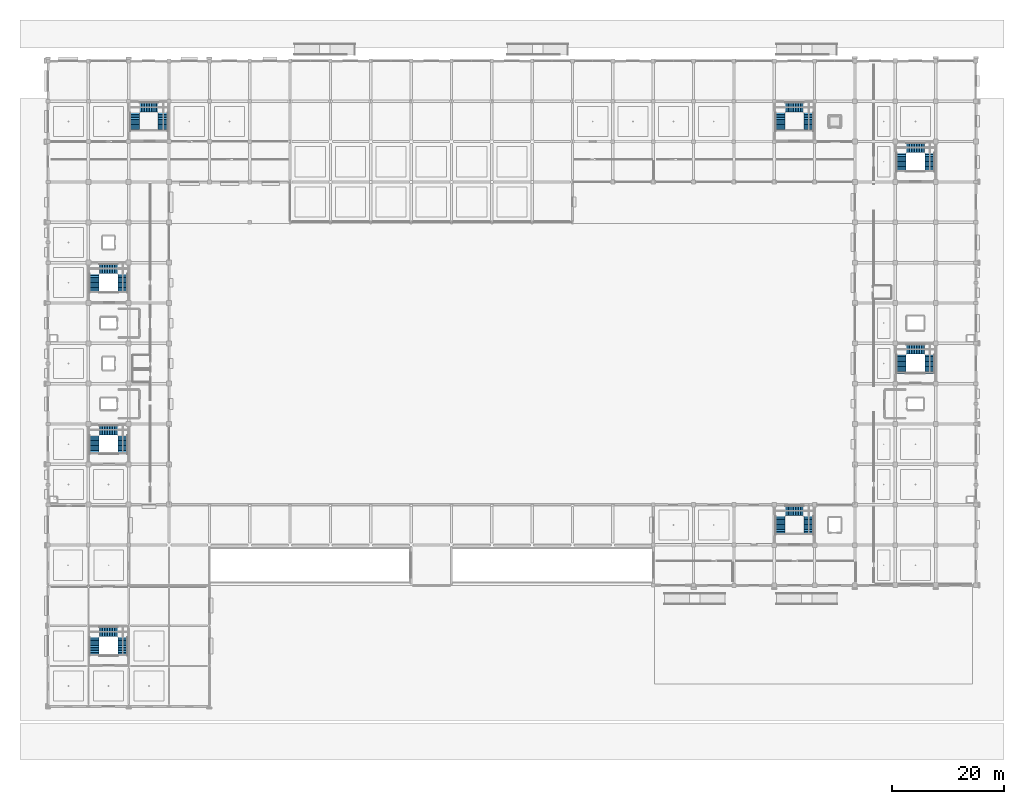
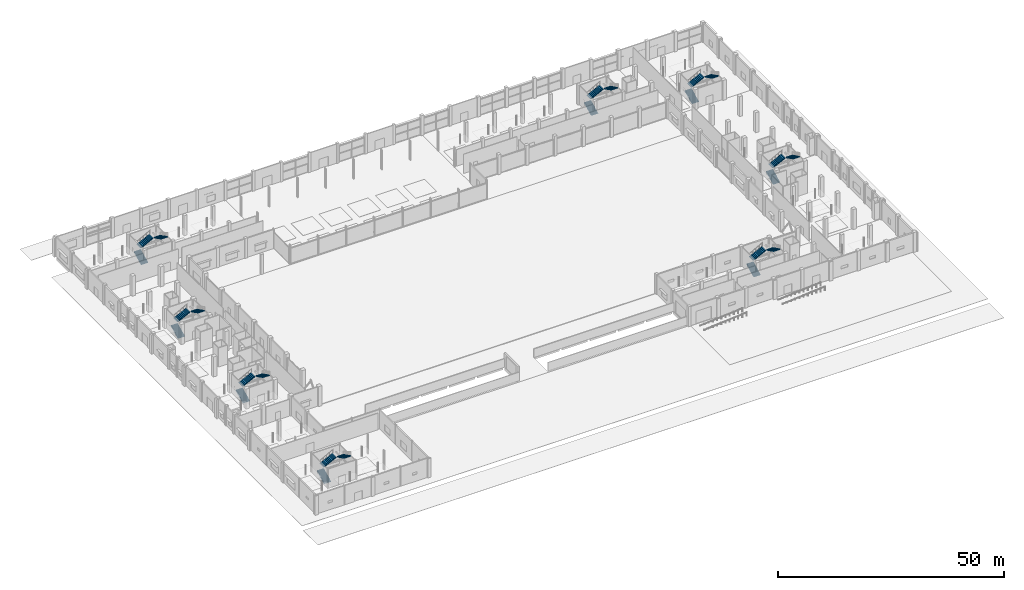
# One storey, part 67 of 90: 24 stair flights, 8 elements without a shape of their own.
"""IFC4 building model written with IfcOpenShell, lengths in metres."""

from ifc_helpers import new_model, si_unit, direction, frame, origin, place, context, subcontext, project, spatial, polyline, outline, extrude, material, type_object, element, aggregate, save


model = new_model("IFC4")

# Units and contexts
model_context = context("Model", 3, precision=1e-05, world=origin(), true_north=direction((0.0, 1.0)))
body_context = subcontext(model_context, "Body", "Model", "MODEL_VIEW")
ifc_project = project(units=[si_unit("LENGTHUNIT", "METRE"), si_unit("AREAUNIT", "SQUARE_METRE"), si_unit("VOLUMEUNIT", "CUBIC_METRE"), si_unit("PLANEANGLEUNIT", "RADIAN"), si_unit("MASSUNIT", "GRAM", prefix="KILO")], contexts=[model_context])

# Site, building, storey
site_placement = place(None, origin())
site = spatial("IfcSite", under=ifc_project, at=site_placement, CompositionType="ELEMENT")
building_placement = place(site_placement, origin())
building = spatial("IfcBuilding", under=site, at=building_placement, Name="Kangsadwip Square Police Headquarters", CompositionType="ELEMENT")
storey_placement = place(building_placement, origin())
storey = spatial("IfcBuildingStorey", under=building, at=storey_placement, Name="L00", CompositionType="ELEMENT", Elevation=0.0)

# Stair, stair flights
ifc_material_1 = material(Name="Concrete M35 (35 MPa)", Category="concrete")
stair_type = type_object("IfcStairType", Name="Stair3FlightL00W1750", PredefinedType="TWO_QUARTER_TURN_STAIR", material=ifc_material_1)
stair_1_placement = place(storey_placement, origin())
stair_1 = element("IfcStair", 1, at=stair_1_placement, inside=storey, type_object=stair_type, Name="Protected Stair ST-01 L00", PredefinedType="TWO_QUARTER_TURN_STAIR")
ifc_material_2 = material(Name="Concrete M35 (35 MPa)", Category="concrete")
stair_flight_type = type_object("IfcStairFlightType", Name="Flight12RL00W1750", PredefinedType="STRAIGHT", material=ifc_material_2)
stair_flight_1_placement = place(storey_placement, frame((8.2548828125, 45.06005859375, 0.0), z_axis=(0.0, 0.0, 1.0), x_axis=(0.0, 1.0, 0.0)))
stair_flight_1 = element("IfcStairFlight", 2, at=stair_flight_1_placement, type_object=stair_flight_type, Name="ST-01 flight 1", NumberOfRisers=12, NumberOfTreads=11, PredefinedType="STRAIGHT", RiserHeight=0.15, TreadLength=0.3, context=body_context, shape_type="SweptSolid", body=[
    extrude(outline(polyline([(0.0, 0.0), (0.0, 0.14990234375), (0.300048828125, 0.14990234375), (0.300048828125, 0.300048828125), (0.60009765625, 0.300048828125), (0.60009765625, 0.449951171875), (0.89990234375, 0.449951171875), (0.89990234375, 0.60009765625), (1.199951171875, 0.60009765625), (1.199951171875, 0.75), (1.5, 0.75), (1.5, 0.89990234375), (1.800048828125, 0.89990234375), (1.800048828125, 1.050048828125), (2.10009765625, 1.050048828125), (2.10009765625, 1.199951171875), (2.39990234375, 1.199951171875), (2.39990234375, 1.35009765625), (2.699951171875, 1.35009765625), (2.699951171875, 1.5), (3.0, 1.5), (3.0, 1.64990234375), (3.300048828125, 1.64990234375), (3.300048828125, 1.800048828125), (3.300048828125, 1.47119140625), (0.357666015625, 0.0), (0.0, 0.0)])), frame((0.0, 0.875, 0.0), z_axis=(0.0, -1.0, 0.0), x_axis=(1.0, 0.0, 0.0)), (0.0, 0.0, 1.0), 1.75),
])
stair_flight_2_placement = place(storey_placement, frame((9.14990234375, 49.344970703125, 1.800048828125), z_axis=(0.0, 0.0, 1.0), x_axis=(1.0, 0.0, 0.0)))
stair_flight_2 = element("IfcStairFlight", 3, at=stair_flight_2_placement, type_object=stair_flight_type, Name="ST-01 flight 2", NumberOfRisers=12, NumberOfTreads=11, PredefinedType="STRAIGHT", RiserHeight=0.15, TreadLength=0.3, context=body_context, shape_type="SweptSolid", body=[
    extrude(outline(polyline([(0.0, 0.0), (0.0, 0.14990234375), (0.300048828125, 0.14990234375), (0.300048828125, 0.300048828125), (0.60009765625, 0.300048828125), (0.60009765625, 0.449951171875), (0.89990234375, 0.449951171875), (0.89990234375, 0.60009765625), (1.199951171875, 0.60009765625), (1.199951171875, 0.75), (1.5, 0.75), (1.5, 0.89990234375), (1.800048828125, 0.89990234375), (1.800048828125, 1.050048828125), (2.10009765625, 1.050048828125), (2.10009765625, 1.199951171875), (2.39990234375, 1.199951171875), (2.39990234375, 1.35009765625), (2.699951171875, 1.35009765625), (2.699951171875, 1.5), (3.0, 1.5), (3.0, 1.64990234375), (3.300048828125, 1.64990234375), (3.300048828125, 1.800048828125), (3.300048828125, 1.47119140625), (0.357666015625, 0.0), (0.0, 0.0)])), frame((0.0, 0.875, 0.0), z_axis=(0.0, -1.0, 0.0), x_axis=(1.0, 0.0, 0.0)), (0.0, 0.0, 1.0), 1.75),
])
stair_flight_3_placement = place(storey_placement, frame((13.344970703125, 48.360107421875, 3.60009765625), z_axis=(0.0, 0.0, 1.0), x_axis=(0.0, -1.0, 0.0)))
stair_flight_3 = element("IfcStairFlight", 4, at=stair_flight_3_placement, type_object=stair_flight_type, Name="ST-01 flight 3", NumberOfRisers=12, NumberOfTreads=11, PredefinedType="STRAIGHT", RiserHeight=0.15, TreadLength=0.3, context=body_context, shape_type="SweptSolid", body=[
    extrude(outline(polyline([(0.0, 0.0), (0.0, 0.14990234375), (0.300048828125, 0.14990234375), (0.300048828125, 0.300048828125), (0.60009765625, 0.300048828125), (0.60009765625, 0.449951171875), (0.89990234375, 0.449951171875), (0.89990234375, 0.60009765625), (1.199951171875, 0.60009765625), (1.199951171875, 0.75), (1.5, 0.75), (1.5, 0.89990234375), (1.800048828125, 0.89990234375), (1.800048828125, 1.050048828125), (2.10009765625, 1.050048828125), (2.10009765625, 1.199951171875), (2.39990234375, 1.199951171875), (2.39990234375, 1.35009765625), (2.699951171875, 1.35009765625), (2.699951171875, 1.5), (3.0, 1.5), (3.0, 1.64990234375), (3.300048828125, 1.64990234375), (3.300048828125, 1.800048828125), (3.300048828125, 1.47119140625), (0.357666015625, 0.0), (0.0, 0.0)])), frame((0.0, 0.875, 0.0), z_axis=(0.0, -1.0, 0.0), x_axis=(1.0, 0.0, 0.0)), (0.0, 0.0, 1.0), 1.75),
])
aggregate(stair_1, [stair_flight_1, stair_flight_2, stair_flight_3])

stair_2_placement = place(storey_placement, origin())
stair_2 = element("IfcStair", 5, at=stair_2_placement, inside=storey, type_object=stair_type, Name="Protected Stair ST-02 L00", PredefinedType="TWO_QUARTER_TURN_STAIR")
stair_flight_4_placement = place(storey_placement, frame((8.2548828125, 73.860107421875, 0.0), z_axis=(0.0, 0.0, 1.0), x_axis=(0.0, 1.0, 0.0)))
stair_flight_4 = element("IfcStairFlight", 6, at=stair_flight_4_placement, type_object=stair_flight_type, Name="ST-02 flight 1", NumberOfRisers=12, NumberOfTreads=11, PredefinedType="STRAIGHT", RiserHeight=0.15, TreadLength=0.3, context=body_context, shape_type="SweptSolid", body=[
    extrude(outline(polyline([(0.0, 0.0), (0.0, 0.14990234375), (0.300048828125, 0.14990234375), (0.300048828125, 0.300048828125), (0.60009765625, 0.300048828125), (0.60009765625, 0.449951171875), (0.89990234375, 0.449951171875), (0.89990234375, 0.60009765625), (1.199951171875, 0.60009765625), (1.199951171875, 0.75), (1.5, 0.75), (1.5, 0.89990234375), (1.800048828125, 0.89990234375), (1.800048828125, 1.050048828125), (2.10009765625, 1.050048828125), (2.10009765625, 1.199951171875), (2.39990234375, 1.199951171875), (2.39990234375, 1.35009765625), (2.699951171875, 1.35009765625), (2.699951171875, 1.5), (3.0, 1.5), (3.0, 1.64990234375), (3.300048828125, 1.64990234375), (3.300048828125, 1.800048828125), (3.300048828125, 1.47119140625), (0.357666015625, 0.0), (0.0, 0.0)])), frame((0.0, 0.875, 0.0), z_axis=(0.0, -1.0, 0.0), x_axis=(1.0, 0.0, 0.0)), (0.0, 0.0, 1.0), 1.75),
])
stair_flight_5_placement = place(storey_placement, frame((9.14990234375, 78.14501953125, 1.800048828125), z_axis=(0.0, 0.0, 1.0), x_axis=(1.0, 0.0, 0.0)))
stair_flight_5 = element("IfcStairFlight", 7, at=stair_flight_5_placement, type_object=stair_flight_type, Name="ST-02 flight 2", NumberOfRisers=12, NumberOfTreads=11, PredefinedType="STRAIGHT", RiserHeight=0.15, TreadLength=0.3, context=body_context, shape_type="SweptSolid", body=[
    extrude(outline(polyline([(0.0, 0.0), (0.0, 0.14990234375), (0.300048828125, 0.14990234375), (0.300048828125, 0.300048828125), (0.60009765625, 0.300048828125), (0.60009765625, 0.449951171875), (0.89990234375, 0.449951171875), (0.89990234375, 0.60009765625), (1.199951171875, 0.60009765625), (1.199951171875, 0.75), (1.5, 0.75), (1.5, 0.89990234375), (1.800048828125, 0.89990234375), (1.800048828125, 1.050048828125), (2.10009765625, 1.050048828125), (2.10009765625, 1.199951171875), (2.39990234375, 1.199951171875), (2.39990234375, 1.35009765625), (2.699951171875, 1.35009765625), (2.699951171875, 1.5), (3.0, 1.5), (3.0, 1.64990234375), (3.300048828125, 1.64990234375), (3.300048828125, 1.800048828125), (3.300048828125, 1.47119140625), (0.357666015625, 0.0), (0.0, 0.0)])), frame((0.0, 0.875, 0.0), z_axis=(0.0, -1.0, 0.0), x_axis=(1.0, 0.0, 0.0)), (0.0, 0.0, 1.0), 1.75),
])
stair_flight_6_placement = place(storey_placement, frame((13.344970703125, 77.159912109375, 3.60009765625), z_axis=(0.0, 0.0, 1.0), x_axis=(0.0, -1.0, 0.0)))
stair_flight_6 = element("IfcStairFlight", 8, at=stair_flight_6_placement, type_object=stair_flight_type, Name="ST-02 flight 3", NumberOfRisers=12, NumberOfTreads=11, PredefinedType="STRAIGHT", RiserHeight=0.15, TreadLength=0.3, context=body_context, shape_type="SweptSolid", body=[
    extrude(outline(polyline([(0.0, 0.0), (0.0, 0.14990234375), (0.300048828125, 0.14990234375), (0.300048828125, 0.300048828125), (0.60009765625, 0.300048828125), (0.60009765625, 0.449951171875), (0.89990234375, 0.449951171875), (0.89990234375, 0.60009765625), (1.199951171875, 0.60009765625), (1.199951171875, 0.75), (1.5, 0.75), (1.5, 0.89990234375), (1.800048828125, 0.89990234375), (1.800048828125, 1.050048828125), (2.10009765625, 1.050048828125), (2.10009765625, 1.199951171875), (2.39990234375, 1.199951171875), (2.39990234375, 1.35009765625), (2.699951171875, 1.35009765625), (2.699951171875, 1.5), (3.0, 1.5), (3.0, 1.64990234375), (3.300048828125, 1.64990234375), (3.300048828125, 1.800048828125), (3.300048828125, 1.47119140625), (0.357666015625, 0.0), (0.0, 0.0)])), frame((0.0, 0.875, 0.0), z_axis=(0.0, -1.0, 0.0), x_axis=(1.0, 0.0, 0.0)), (0.0, 0.0, 1.0), 1.75),
])
aggregate(stair_2, [stair_flight_4, stair_flight_5, stair_flight_6])

stair_3_placement = place(storey_placement, origin())
stair_3 = element("IfcStair", 9, at=stair_3_placement, inside=storey, type_object=stair_type, Name="Protected Stair ST-03 L00", PredefinedType="TWO_QUARTER_TURN_STAIR")
stair_flight_7_placement = place(storey_placement, frame((152.2548828125, 59.4599609375, 0.0), z_axis=(0.0, 0.0, 1.0), x_axis=(0.0, 1.0, 0.0)))
stair_flight_7 = element("IfcStairFlight", 10, at=stair_flight_7_placement, type_object=stair_flight_type, Name="ST-03 flight 1", NumberOfRisers=12, NumberOfTreads=11, PredefinedType="STRAIGHT", RiserHeight=0.15, TreadLength=0.3, context=body_context, shape_type="SweptSolid", body=[
    extrude(outline(polyline([(0.0, 0.0), (0.0, 0.14990234375), (0.300048828125, 0.14990234375), (0.300048828125, 0.300048828125), (0.60009765625, 0.300048828125), (0.60009765625, 0.449951171875), (0.89990234375, 0.449951171875), (0.89990234375, 0.60009765625), (1.199951171875, 0.60009765625), (1.199951171875, 0.75), (1.5, 0.75), (1.5, 0.89990234375), (1.800048828125, 0.89990234375), (1.800048828125, 1.050048828125), (2.10009765625, 1.050048828125), (2.10009765625, 1.199951171875), (2.39990234375, 1.199951171875), (2.39990234375, 1.35009765625), (2.699951171875, 1.35009765625), (2.699951171875, 1.5), (3.0, 1.5), (3.0, 1.64990234375), (3.300048828125, 1.64990234375), (3.300048828125, 1.800048828125), (3.300048828125, 1.47119140625), (0.357666015625, 0.0), (0.0, 0.0)])), frame((0.0, 0.875, 0.0), z_axis=(0.0, -1.0, 0.0), x_axis=(1.0, 0.0, 0.0)), (0.0, 0.0, 1.0), 1.75),
])
stair_flight_8_placement = place(storey_placement, frame((153.14990234375, 63.7451171875, 1.800048828125), z_axis=(0.0, 0.0, 1.0), x_axis=(1.0, 0.0, 0.0)))
stair_flight_8 = element("IfcStairFlight", 11, at=stair_flight_8_placement, type_object=stair_flight_type, Name="ST-03 flight 2", NumberOfRisers=12, NumberOfTreads=11, PredefinedType="STRAIGHT", RiserHeight=0.15, TreadLength=0.3, context=body_context, shape_type="SweptSolid", body=[
    extrude(outline(polyline([(0.0, 0.0), (0.0, 0.14990234375), (0.300048828125, 0.14990234375), (0.300048828125, 0.300048828125), (0.60009765625, 0.300048828125), (0.60009765625, 0.449951171875), (0.89990234375, 0.449951171875), (0.89990234375, 0.60009765625), (1.199951171875, 0.60009765625), (1.199951171875, 0.75), (1.5, 0.75), (1.5, 0.89990234375), (1.800048828125, 0.89990234375), (1.800048828125, 1.050048828125), (2.10009765625, 1.050048828125), (2.10009765625, 1.199951171875), (2.39990234375, 1.199951171875), (2.39990234375, 1.35009765625), (2.699951171875, 1.35009765625), (2.699951171875, 1.5), (3.0, 1.5), (3.0, 1.64990234375), (3.300048828125, 1.64990234375), (3.300048828125, 1.800048828125), (3.300048828125, 1.47119140625), (0.357666015625, 0.0), (0.0, 0.0)])), frame((0.0, 0.875, 0.0), z_axis=(0.0, -1.0, 0.0), x_axis=(1.0, 0.0, 0.0)), (0.0, 0.0, 1.0), 1.75),
])
stair_flight_9_placement = place(storey_placement, frame((157.344970703125, 62.760009765625, 3.60009765625), z_axis=(0.0, 0.0, 1.0), x_axis=(0.0, -1.0, 0.0)))
stair_flight_9 = element("IfcStairFlight", 12, at=stair_flight_9_placement, type_object=stair_flight_type, Name="ST-03 flight 3", NumberOfRisers=12, NumberOfTreads=11, PredefinedType="STRAIGHT", RiserHeight=0.15, TreadLength=0.3, context=body_context, shape_type="SweptSolid", body=[
    extrude(outline(polyline([(0.0, 0.0), (0.0, 0.14990234375), (0.300048828125, 0.14990234375), (0.300048828125, 0.300048828125), (0.60009765625, 0.300048828125), (0.60009765625, 0.449951171875), (0.89990234375, 0.449951171875), (0.89990234375, 0.60009765625), (1.199951171875, 0.60009765625), (1.199951171875, 0.75), (1.5, 0.75), (1.5, 0.89990234375), (1.800048828125, 0.89990234375), (1.800048828125, 1.050048828125), (2.10009765625, 1.050048828125), (2.10009765625, 1.199951171875), (2.39990234375, 1.199951171875), (2.39990234375, 1.35009765625), (2.699951171875, 1.35009765625), (2.699951171875, 1.5), (3.0, 1.5), (3.0, 1.64990234375), (3.300048828125, 1.64990234375), (3.300048828125, 1.800048828125), (3.300048828125, 1.47119140625), (0.357666015625, 0.0), (0.0, 0.0)])), frame((0.0, 0.875, 0.0), z_axis=(0.0, -1.0, 0.0), x_axis=(1.0, 0.0, 0.0)), (0.0, 0.0, 1.0), 1.75),
])
aggregate(stair_3, [stair_flight_7, stair_flight_8, stair_flight_9])

stair_4_placement = place(storey_placement, origin())
stair_4 = element("IfcStair", 13, at=stair_4_placement, inside=storey, type_object=stair_type, Name="Protected Stair ST-04 L00", PredefinedType="TWO_QUARTER_TURN_STAIR")
stair_flight_10_placement = place(storey_placement, frame((152.2548828125, 95.4599609375, 0.0), z_axis=(0.0, 0.0, 1.0), x_axis=(0.0, 1.0, 0.0)))
stair_flight_10 = element("IfcStairFlight", 14, at=stair_flight_10_placement, type_object=stair_flight_type, Name="ST-04 flight 1", NumberOfRisers=12, NumberOfTreads=11, PredefinedType="STRAIGHT", RiserHeight=0.15, TreadLength=0.3, context=body_context, shape_type="SweptSolid", body=[
    extrude(outline(polyline([(0.0, 0.0), (0.0, 0.14990234375), (0.300048828125, 0.14990234375), (0.300048828125, 0.300048828125), (0.60009765625, 0.300048828125), (0.60009765625, 0.449951171875), (0.89990234375, 0.449951171875), (0.89990234375, 0.60009765625), (1.199951171875, 0.60009765625), (1.199951171875, 0.75), (1.5, 0.75), (1.5, 0.89990234375), (1.800048828125, 0.89990234375), (1.800048828125, 1.050048828125), (2.10009765625, 1.050048828125), (2.10009765625, 1.199951171875), (2.39990234375, 1.199951171875), (2.39990234375, 1.35009765625), (2.699951171875, 1.35009765625), (2.699951171875, 1.5), (3.0, 1.5), (3.0, 1.64990234375), (3.300048828125, 1.64990234375), (3.300048828125, 1.800048828125), (3.300048828125, 1.47119140625), (0.357666015625, 0.0), (0.0, 0.0)])), frame((0.0, 0.875, 0.0), z_axis=(0.0, -1.0, 0.0), x_axis=(1.0, 0.0, 0.0)), (0.0, 0.0, 1.0), 1.75),
])
stair_flight_11_placement = place(storey_placement, frame((153.14990234375, 99.7451171875, 1.800048828125), z_axis=(0.0, 0.0, 1.0), x_axis=(1.0, 0.0, 0.0)))
stair_flight_11 = element("IfcStairFlight", 15, at=stair_flight_11_placement, type_object=stair_flight_type, Name="ST-04 flight 2", NumberOfRisers=12, NumberOfTreads=11, PredefinedType="STRAIGHT", RiserHeight=0.15, TreadLength=0.3, context=body_context, shape_type="SweptSolid", body=[
    extrude(outline(polyline([(0.0, 0.0), (0.0, 0.14990234375), (0.300048828125, 0.14990234375), (0.300048828125, 0.300048828125), (0.60009765625, 0.300048828125), (0.60009765625, 0.449951171875), (0.89990234375, 0.449951171875), (0.89990234375, 0.60009765625), (1.199951171875, 0.60009765625), (1.199951171875, 0.75), (1.5, 0.75), (1.5, 0.89990234375), (1.800048828125, 0.89990234375), (1.800048828125, 1.050048828125), (2.10009765625, 1.050048828125), (2.10009765625, 1.199951171875), (2.39990234375, 1.199951171875), (2.39990234375, 1.35009765625), (2.699951171875, 1.35009765625), (2.699951171875, 1.5), (3.0, 1.5), (3.0, 1.64990234375), (3.300048828125, 1.64990234375), (3.300048828125, 1.800048828125), (3.300048828125, 1.47119140625), (0.357666015625, 0.0), (0.0, 0.0)])), frame((0.0, 0.875, 0.0), z_axis=(0.0, -1.0, 0.0), x_axis=(1.0, 0.0, 0.0)), (0.0, 0.0, 1.0), 1.75),
])
stair_flight_12_placement = place(storey_placement, frame((157.344970703125, 98.760009765625, 3.60009765625), z_axis=(0.0, 0.0, 1.0), x_axis=(0.0, -1.0, 0.0)))
stair_flight_12 = element("IfcStairFlight", 16, at=stair_flight_12_placement, type_object=stair_flight_type, Name="ST-04 flight 3", NumberOfRisers=12, NumberOfTreads=11, PredefinedType="STRAIGHT", RiserHeight=0.15, TreadLength=0.3, context=body_context, shape_type="SweptSolid", body=[
    extrude(outline(polyline([(0.0, 0.0), (0.0, 0.14990234375), (0.300048828125, 0.14990234375), (0.300048828125, 0.300048828125), (0.60009765625, 0.300048828125), (0.60009765625, 0.449951171875), (0.89990234375, 0.449951171875), (0.89990234375, 0.60009765625), (1.199951171875, 0.60009765625), (1.199951171875, 0.75), (1.5, 0.75), (1.5, 0.89990234375), (1.800048828125, 0.89990234375), (1.800048828125, 1.050048828125), (2.10009765625, 1.050048828125), (2.10009765625, 1.199951171875), (2.39990234375, 1.199951171875), (2.39990234375, 1.35009765625), (2.699951171875, 1.35009765625), (2.699951171875, 1.5), (3.0, 1.5), (3.0, 1.64990234375), (3.300048828125, 1.64990234375), (3.300048828125, 1.800048828125), (3.300048828125, 1.47119140625), (0.357666015625, 0.0), (0.0, 0.0)])), frame((0.0, 0.875, 0.0), z_axis=(0.0, -1.0, 0.0), x_axis=(1.0, 0.0, 0.0)), (0.0, 0.0, 1.0), 1.75),
])
aggregate(stair_4, [stair_flight_10, stair_flight_11, stair_flight_12])

stair_5_placement = place(storey_placement, origin())
stair_5 = element("IfcStair", 17, at=stair_5_placement, inside=storey, type_object=stair_type, Name="Protected Stair ST-05 L00", PredefinedType="TWO_QUARTER_TURN_STAIR")
stair_flight_13_placement = place(storey_placement, frame((130.655029296875, 102.659912109375, 0.0), z_axis=(0.0, 0.0, 1.0), x_axis=(0.0, 1.0, 0.0)))
stair_flight_13 = element("IfcStairFlight", 18, at=stair_flight_13_placement, type_object=stair_flight_type, Name="ST-05 flight 1", NumberOfRisers=12, NumberOfTreads=11, PredefinedType="STRAIGHT", RiserHeight=0.15, TreadLength=0.3, context=body_context, shape_type="SweptSolid", body=[
    extrude(outline(polyline([(0.0, 0.0), (0.0, 0.14990234375), (0.300048828125, 0.14990234375), (0.300048828125, 0.300048828125), (0.60009765625, 0.300048828125), (0.60009765625, 0.449951171875), (0.89990234375, 0.449951171875), (0.89990234375, 0.60009765625), (1.199951171875, 0.60009765625), (1.199951171875, 0.75), (1.5, 0.75), (1.5, 0.89990234375), (1.800048828125, 0.89990234375), (1.800048828125, 1.050048828125), (2.10009765625, 1.050048828125), (2.10009765625, 1.199951171875), (2.39990234375, 1.199951171875), (2.39990234375, 1.35009765625), (2.699951171875, 1.35009765625), (2.699951171875, 1.5), (3.0, 1.5), (3.0, 1.64990234375), (3.300048828125, 1.64990234375), (3.300048828125, 1.800048828125), (3.300048828125, 1.47119140625), (0.357666015625, 0.0), (0.0, 0.0)])), frame((0.0, 0.875, 0.0), z_axis=(0.0, -1.0, 0.0), x_axis=(1.0, 0.0, 0.0)), (0.0, 0.0, 1.0), 1.75),
])
stair_flight_14_placement = place(storey_placement, frame((131.550048828125, 106.945068359375, 1.800048828125), z_axis=(0.0, 0.0, 1.0), x_axis=(1.0, 0.0, 0.0)))
stair_flight_14 = element("IfcStairFlight", 19, at=stair_flight_14_placement, type_object=stair_flight_type, Name="ST-05 flight 2", NumberOfRisers=12, NumberOfTreads=11, PredefinedType="STRAIGHT", RiserHeight=0.15, TreadLength=0.3, context=body_context, shape_type="SweptSolid", body=[
    extrude(outline(polyline([(0.0, 0.0), (0.0, 0.14990234375), (0.300048828125, 0.14990234375), (0.300048828125, 0.300048828125), (0.60009765625, 0.300048828125), (0.60009765625, 0.449951171875), (0.89990234375, 0.449951171875), (0.89990234375, 0.60009765625), (1.199951171875, 0.60009765625), (1.199951171875, 0.75), (1.5, 0.75), (1.5, 0.89990234375), (1.800048828125, 0.89990234375), (1.800048828125, 1.050048828125), (2.10009765625, 1.050048828125), (2.10009765625, 1.199951171875), (2.39990234375, 1.199951171875), (2.39990234375, 1.35009765625), (2.699951171875, 1.35009765625), (2.699951171875, 1.5), (3.0, 1.5), (3.0, 1.64990234375), (3.300048828125, 1.64990234375), (3.300048828125, 1.800048828125), (3.300048828125, 1.47119140625), (0.357666015625, 0.0), (0.0, 0.0)])), frame((0.0, 0.875, 0.0), z_axis=(0.0, -1.0, 0.0), x_axis=(1.0, 0.0, 0.0)), (0.0, 0.0, 1.0), 1.75),
])
stair_flight_15_placement = place(storey_placement, frame((135.7451171875, 105.9599609375, 3.60009765625), z_axis=(0.0, 0.0, 1.0), x_axis=(0.0, -1.0, 0.0)))
stair_flight_15 = element("IfcStairFlight", 20, at=stair_flight_15_placement, type_object=stair_flight_type, Name="ST-05 flight 3", NumberOfRisers=12, NumberOfTreads=11, PredefinedType="STRAIGHT", RiserHeight=0.15, TreadLength=0.3, context=body_context, shape_type="SweptSolid", body=[
    extrude(outline(polyline([(0.0, 0.0), (0.0, 0.14990234375), (0.300048828125, 0.14990234375), (0.300048828125, 0.300048828125), (0.60009765625, 0.300048828125), (0.60009765625, 0.449951171875), (0.89990234375, 0.449951171875), (0.89990234375, 0.60009765625), (1.199951171875, 0.60009765625), (1.199951171875, 0.75), (1.5, 0.75), (1.5, 0.89990234375), (1.800048828125, 0.89990234375), (1.800048828125, 1.050048828125), (2.10009765625, 1.050048828125), (2.10009765625, 1.199951171875), (2.39990234375, 1.199951171875), (2.39990234375, 1.35009765625), (2.699951171875, 1.35009765625), (2.699951171875, 1.5), (3.0, 1.5), (3.0, 1.64990234375), (3.300048828125, 1.64990234375), (3.300048828125, 1.800048828125), (3.300048828125, 1.47119140625), (0.357666015625, 0.0), (0.0, 0.0)])), frame((0.0, 0.875, 0.0), z_axis=(0.0, -1.0, 0.0), x_axis=(1.0, 0.0, 0.0)), (0.0, 0.0, 1.0), 1.75),
])
aggregate(stair_5, [stair_flight_13, stair_flight_14, stair_flight_15])

stair_6_placement = place(storey_placement, origin())
stair_6 = element("IfcStair", 21, at=stair_6_placement, inside=storey, type_object=stair_type, Name="Protected Stair ST-06 L00", PredefinedType="TWO_QUARTER_TURN_STAIR")
stair_flight_16_placement = place(storey_placement, frame((130.655029296875, 30.659912109375, 0.0), z_axis=(0.0, 0.0, 1.0), x_axis=(0.0, 1.0, 0.0)))
stair_flight_16 = element("IfcStairFlight", 22, at=stair_flight_16_placement, type_object=stair_flight_type, Name="ST-06 flight 1", NumberOfRisers=12, NumberOfTreads=11, PredefinedType="STRAIGHT", RiserHeight=0.15, TreadLength=0.3, context=body_context, shape_type="SweptSolid", body=[
    extrude(outline(polyline([(0.0, 0.0), (0.0, 0.14990234375), (0.300048828125, 0.14990234375), (0.300048828125, 0.300048828125), (0.60009765625, 0.300048828125), (0.60009765625, 0.449951171875), (0.89990234375, 0.449951171875), (0.89990234375, 0.60009765625), (1.199951171875, 0.60009765625), (1.199951171875, 0.75), (1.5, 0.75), (1.5, 0.89990234375), (1.800048828125, 0.89990234375), (1.800048828125, 1.050048828125), (2.10009765625, 1.050048828125), (2.10009765625, 1.199951171875), (2.39990234375, 1.199951171875), (2.39990234375, 1.35009765625), (2.699951171875, 1.35009765625), (2.699951171875, 1.5), (3.0, 1.5), (3.0, 1.64990234375), (3.300048828125, 1.64990234375), (3.300048828125, 1.800048828125), (3.300048828125, 1.47119140625), (0.357666015625, 0.0), (0.0, 0.0)])), frame((0.0, 0.875, 0.0), z_axis=(0.0, -1.0, 0.0), x_axis=(1.0, 0.0, 0.0)), (0.0, 0.0, 1.0), 1.75),
])
stair_flight_17_placement = place(storey_placement, frame((131.550048828125, 34.945068359375, 1.800048828125), z_axis=(0.0, 0.0, 1.0), x_axis=(1.0, 0.0, 0.0)))
stair_flight_17 = element("IfcStairFlight", 23, at=stair_flight_17_placement, type_object=stair_flight_type, Name="ST-06 flight 2", NumberOfRisers=12, NumberOfTreads=11, PredefinedType="STRAIGHT", RiserHeight=0.15, TreadLength=0.3, context=body_context, shape_type="SweptSolid", body=[
    extrude(outline(polyline([(0.0, 0.0), (0.0, 0.14990234375), (0.300048828125, 0.14990234375), (0.300048828125, 0.300048828125), (0.60009765625, 0.300048828125), (0.60009765625, 0.449951171875), (0.89990234375, 0.449951171875), (0.89990234375, 0.60009765625), (1.199951171875, 0.60009765625), (1.199951171875, 0.75), (1.5, 0.75), (1.5, 0.89990234375), (1.800048828125, 0.89990234375), (1.800048828125, 1.050048828125), (2.10009765625, 1.050048828125), (2.10009765625, 1.199951171875), (2.39990234375, 1.199951171875), (2.39990234375, 1.35009765625), (2.699951171875, 1.35009765625), (2.699951171875, 1.5), (3.0, 1.5), (3.0, 1.64990234375), (3.300048828125, 1.64990234375), (3.300048828125, 1.800048828125), (3.300048828125, 1.47119140625), (0.357666015625, 0.0), (0.0, 0.0)])), frame((0.0, 0.875, 0.0), z_axis=(0.0, -1.0, 0.0), x_axis=(1.0, 0.0, 0.0)), (0.0, 0.0, 1.0), 1.75),
])
stair_flight_18_placement = place(storey_placement, frame((135.7451171875, 33.9599609375, 3.60009765625), z_axis=(0.0, 0.0, 1.0), x_axis=(0.0, -1.0, 0.0)))
stair_flight_18 = element("IfcStairFlight", 24, at=stair_flight_18_placement, type_object=stair_flight_type, Name="ST-06 flight 3", NumberOfRisers=12, NumberOfTreads=11, PredefinedType="STRAIGHT", RiserHeight=0.15, TreadLength=0.3, context=body_context, shape_type="SweptSolid", body=[
    extrude(outline(polyline([(0.0, 0.0), (0.0, 0.14990234375), (0.300048828125, 0.14990234375), (0.300048828125, 0.300048828125), (0.60009765625, 0.300048828125), (0.60009765625, 0.449951171875), (0.89990234375, 0.449951171875), (0.89990234375, 0.60009765625), (1.199951171875, 0.60009765625), (1.199951171875, 0.75), (1.5, 0.75), (1.5, 0.89990234375), (1.800048828125, 0.89990234375), (1.800048828125, 1.050048828125), (2.10009765625, 1.050048828125), (2.10009765625, 1.199951171875), (2.39990234375, 1.199951171875), (2.39990234375, 1.35009765625), (2.699951171875, 1.35009765625), (2.699951171875, 1.5), (3.0, 1.5), (3.0, 1.64990234375), (3.300048828125, 1.64990234375), (3.300048828125, 1.800048828125), (3.300048828125, 1.47119140625), (0.357666015625, 0.0), (0.0, 0.0)])), frame((0.0, 0.875, 0.0), z_axis=(0.0, -1.0, 0.0), x_axis=(1.0, 0.0, 0.0)), (0.0, 0.0, 1.0), 1.75),
])
aggregate(stair_6, [stair_flight_16, stair_flight_17, stair_flight_18])

stair_7_placement = place(storey_placement, origin())
stair_7 = element("IfcStair", 25, at=stair_7_placement, inside=storey, type_object=stair_type, Name="Protected Stair ST-07 L00", PredefinedType="TWO_QUARTER_TURN_STAIR")
stair_flight_19_placement = place(storey_placement, frame((15.455078125, 102.659912109375, 0.0), z_axis=(0.0, 0.0, 1.0), x_axis=(0.0, 1.0, 0.0)))
stair_flight_19 = element("IfcStairFlight", 26, at=stair_flight_19_placement, type_object=stair_flight_type, Name="ST-07 flight 1", NumberOfRisers=12, NumberOfTreads=11, PredefinedType="STRAIGHT", RiserHeight=0.15, TreadLength=0.3, context=body_context, shape_type="SweptSolid", body=[
    extrude(outline(polyline([(0.0, 0.0), (0.0, 0.14990234375), (0.300048828125, 0.14990234375), (0.300048828125, 0.300048828125), (0.60009765625, 0.300048828125), (0.60009765625, 0.449951171875), (0.89990234375, 0.449951171875), (0.89990234375, 0.60009765625), (1.199951171875, 0.60009765625), (1.199951171875, 0.75), (1.5, 0.75), (1.5, 0.89990234375), (1.800048828125, 0.89990234375), (1.800048828125, 1.050048828125), (2.10009765625, 1.050048828125), (2.10009765625, 1.199951171875), (2.39990234375, 1.199951171875), (2.39990234375, 1.35009765625), (2.699951171875, 1.35009765625), (2.699951171875, 1.5), (3.0, 1.5), (3.0, 1.64990234375), (3.300048828125, 1.64990234375), (3.300048828125, 1.800048828125), (3.300048828125, 1.47119140625), (0.357666015625, 0.0), (0.0, 0.0)])), frame((0.0, 0.875, 0.0), z_axis=(0.0, -1.0, 0.0), x_axis=(1.0, 0.0, 0.0)), (0.0, 0.0, 1.0), 1.75),
])
stair_flight_20_placement = place(storey_placement, frame((16.35009765625, 106.945068359375, 1.800048828125), z_axis=(0.0, 0.0, 1.0), x_axis=(1.0, 0.0, 0.0)))
stair_flight_20 = element("IfcStairFlight", 27, at=stair_flight_20_placement, type_object=stair_flight_type, Name="ST-07 flight 2", NumberOfRisers=12, NumberOfTreads=11, PredefinedType="STRAIGHT", RiserHeight=0.15, TreadLength=0.3, context=body_context, shape_type="SweptSolid", body=[
    extrude(outline(polyline([(0.0, 0.0), (0.0, 0.14990234375), (0.300048828125, 0.14990234375), (0.300048828125, 0.300048828125), (0.60009765625, 0.300048828125), (0.60009765625, 0.449951171875), (0.89990234375, 0.449951171875), (0.89990234375, 0.60009765625), (1.199951171875, 0.60009765625), (1.199951171875, 0.75), (1.5, 0.75), (1.5, 0.89990234375), (1.800048828125, 0.89990234375), (1.800048828125, 1.050048828125), (2.10009765625, 1.050048828125), (2.10009765625, 1.199951171875), (2.39990234375, 1.199951171875), (2.39990234375, 1.35009765625), (2.699951171875, 1.35009765625), (2.699951171875, 1.5), (3.0, 1.5), (3.0, 1.64990234375), (3.300048828125, 1.64990234375), (3.300048828125, 1.800048828125), (3.300048828125, 1.47119140625), (0.357666015625, 0.0), (0.0, 0.0)])), frame((0.0, 0.875, 0.0), z_axis=(0.0, -1.0, 0.0), x_axis=(1.0, 0.0, 0.0)), (0.0, 0.0, 1.0), 1.75),
])
stair_flight_21_placement = place(storey_placement, frame((20.544921875, 105.9599609375, 3.60009765625), z_axis=(0.0, 0.0, 1.0), x_axis=(0.0, -1.0, 0.0)))
stair_flight_21 = element("IfcStairFlight", 28, at=stair_flight_21_placement, type_object=stair_flight_type, Name="ST-07 flight 3", NumberOfRisers=12, NumberOfTreads=11, PredefinedType="STRAIGHT", RiserHeight=0.15, TreadLength=0.3, context=body_context, shape_type="SweptSolid", body=[
    extrude(outline(polyline([(0.0, 0.0), (0.0, 0.14990234375), (0.300048828125, 0.14990234375), (0.300048828125, 0.300048828125), (0.60009765625, 0.300048828125), (0.60009765625, 0.449951171875), (0.89990234375, 0.449951171875), (0.89990234375, 0.60009765625), (1.199951171875, 0.60009765625), (1.199951171875, 0.75), (1.5, 0.75), (1.5, 0.89990234375), (1.800048828125, 0.89990234375), (1.800048828125, 1.050048828125), (2.10009765625, 1.050048828125), (2.10009765625, 1.199951171875), (2.39990234375, 1.199951171875), (2.39990234375, 1.35009765625), (2.699951171875, 1.35009765625), (2.699951171875, 1.5), (3.0, 1.5), (3.0, 1.64990234375), (3.300048828125, 1.64990234375), (3.300048828125, 1.800048828125), (3.300048828125, 1.47119140625), (0.357666015625, 0.0), (0.0, 0.0)])), frame((0.0, 0.875, 0.0), z_axis=(0.0, -1.0, 0.0), x_axis=(1.0, 0.0, 0.0)), (0.0, 0.0, 1.0), 1.75),
])
aggregate(stair_7, [stair_flight_19, stair_flight_20, stair_flight_21])

stair_8_placement = place(storey_placement, origin())
stair_8 = element("IfcStair", 29, at=stair_8_placement, inside=storey, type_object=stair_type, Name="Protected Stair ST-08 L00", PredefinedType="TWO_QUARTER_TURN_STAIR")
stair_flight_22_placement = place(storey_placement, frame((8.2548828125, 9.06005859375, 0.0), z_axis=(0.0, 0.0, 1.0), x_axis=(0.0, 1.0, 0.0)))
stair_flight_22 = element("IfcStairFlight", 30, at=stair_flight_22_placement, type_object=stair_flight_type, Name="ST-08 flight 1", NumberOfRisers=12, NumberOfTreads=11, PredefinedType="STRAIGHT", RiserHeight=0.15, TreadLength=0.3, context=body_context, shape_type="SweptSolid", body=[
    extrude(outline(polyline([(0.0, 0.0), (0.0, 0.14990234375), (0.300048828125, 0.14990234375), (0.300048828125, 0.300048828125), (0.60009765625, 0.300048828125), (0.60009765625, 0.449951171875), (0.89990234375, 0.449951171875), (0.89990234375, 0.60009765625), (1.199951171875, 0.60009765625), (1.199951171875, 0.75), (1.5, 0.75), (1.5, 0.89990234375), (1.800048828125, 0.89990234375), (1.800048828125, 1.050048828125), (2.10009765625, 1.050048828125), (2.10009765625, 1.199951171875), (2.39990234375, 1.199951171875), (2.39990234375, 1.35009765625), (2.699951171875, 1.35009765625), (2.699951171875, 1.5), (3.0, 1.5), (3.0, 1.64990234375), (3.300048828125, 1.64990234375), (3.300048828125, 1.800048828125), (3.300048828125, 1.47119140625), (0.357666015625, 0.0), (0.0, 0.0)])), frame((0.0, 0.875, 0.0), z_axis=(0.0, -1.0, 0.0), x_axis=(1.0, 0.0, 0.0)), (0.0, 0.0, 1.0), 1.75),
])
stair_flight_23_placement = place(storey_placement, frame((9.14990234375, 13.344970703125, 1.800048828125), z_axis=(0.0, 0.0, 1.0), x_axis=(1.0, 0.0, 0.0)))
stair_flight_23 = element("IfcStairFlight", 31, at=stair_flight_23_placement, type_object=stair_flight_type, Name="ST-08 flight 2", NumberOfRisers=12, NumberOfTreads=11, PredefinedType="STRAIGHT", RiserHeight=0.15, TreadLength=0.3, context=body_context, shape_type="SweptSolid", body=[
    extrude(outline(polyline([(0.0, 0.0), (0.0, 0.14990234375), (0.300048828125, 0.14990234375), (0.300048828125, 0.300048828125), (0.60009765625, 0.300048828125), (0.60009765625, 0.449951171875), (0.89990234375, 0.449951171875), (0.89990234375, 0.60009765625), (1.199951171875, 0.60009765625), (1.199951171875, 0.75), (1.5, 0.75), (1.5, 0.89990234375), (1.800048828125, 0.89990234375), (1.800048828125, 1.050048828125), (2.10009765625, 1.050048828125), (2.10009765625, 1.199951171875), (2.39990234375, 1.199951171875), (2.39990234375, 1.35009765625), (2.699951171875, 1.35009765625), (2.699951171875, 1.5), (3.0, 1.5), (3.0, 1.64990234375), (3.300048828125, 1.64990234375), (3.300048828125, 1.800048828125), (3.300048828125, 1.47119140625), (0.357666015625, 0.0), (0.0, 0.0)])), frame((0.0, 0.875, 0.0), z_axis=(0.0, -1.0, 0.0), x_axis=(1.0, 0.0, 0.0)), (0.0, 0.0, 1.0), 1.75),
])
stair_flight_24_placement = place(storey_placement, frame((13.344970703125, 12.360107421875, 3.60009765625), z_axis=(0.0, 0.0, 1.0), x_axis=(0.0, -1.0, 0.0)))
stair_flight_24 = element("IfcStairFlight", 32, at=stair_flight_24_placement, type_object=stair_flight_type, Name="ST-08 flight 3", NumberOfRisers=12, NumberOfTreads=11, PredefinedType="STRAIGHT", RiserHeight=0.15, TreadLength=0.3, context=body_context, shape_type="SweptSolid", body=[
    extrude(outline(polyline([(0.0, 0.0), (0.0, 0.14990234375), (0.300048828125, 0.14990234375), (0.300048828125, 0.300048828125), (0.60009765625, 0.300048828125), (0.60009765625, 0.449951171875), (0.89990234375, 0.449951171875), (0.89990234375, 0.60009765625), (1.199951171875, 0.60009765625), (1.199951171875, 0.75), (1.5, 0.75), (1.5, 0.89990234375), (1.800048828125, 0.89990234375), (1.800048828125, 1.050048828125), (2.10009765625, 1.050048828125), (2.10009765625, 1.199951171875), (2.39990234375, 1.199951171875), (2.39990234375, 1.35009765625), (2.699951171875, 1.35009765625), (2.699951171875, 1.5), (3.0, 1.5), (3.0, 1.64990234375), (3.300048828125, 1.64990234375), (3.300048828125, 1.800048828125), (3.300048828125, 1.47119140625), (0.357666015625, 0.0), (0.0, 0.0)])), frame((0.0, 0.875, 0.0), z_axis=(0.0, -1.0, 0.0), x_axis=(1.0, 0.0, 0.0)), (0.0, 0.0, 1.0), 1.75),
])
aggregate(stair_8, [stair_flight_22, stair_flight_23, stair_flight_24])

save(model, "model.ifc")
